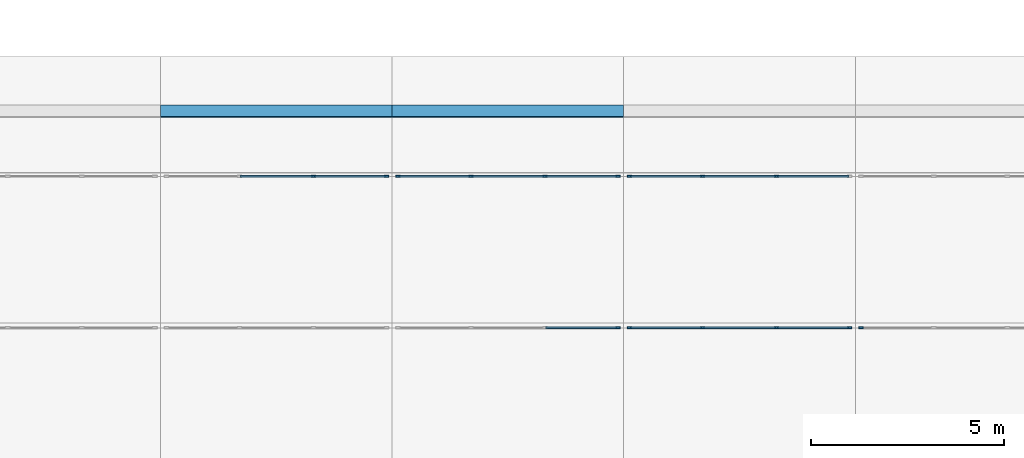
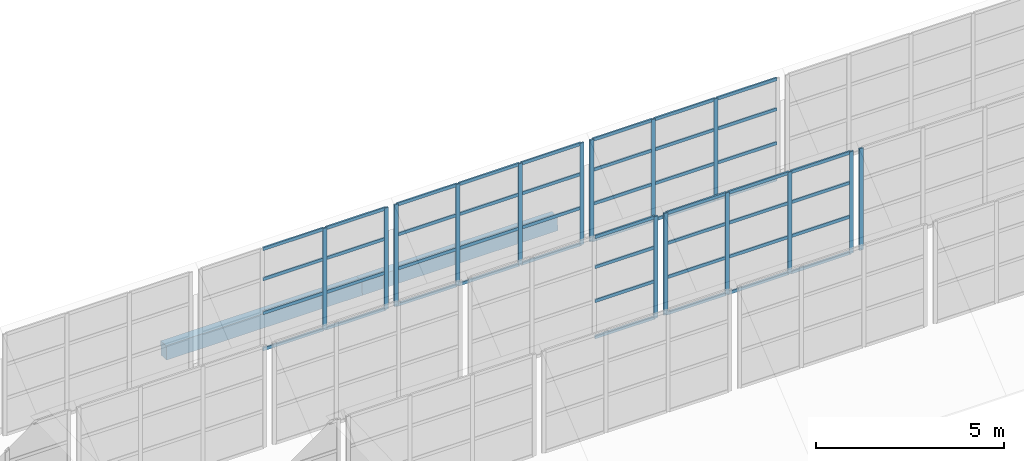
# One storey, part 32 of 122: 63 members, 2 beams, 6 elements without a shape of their own.
"""IFC4 building model written with IfcOpenShell, lengths in metres."""

from ifc_helpers import new_model, si_unit, direction, frame, origin, origin_2d, place, context, subcontext, project, spatial, rectangle, extrude, material, layer, layer_set, material_profile, profile_set, type_object, element, aggregate, save


model = new_model("IFC4")

# Units and contexts
model_context = context("Model", 3, precision=1e-05, world=origin(), true_north=direction((0.0, 1.0)))
body_context = subcontext(model_context, "Body", "Model", "MODEL_VIEW")
ifc_project = project(units=[si_unit("LENGTHUNIT", "METRE"), si_unit("AREAUNIT", "SQUARE_METRE"), si_unit("VOLUMEUNIT", "CUBIC_METRE"), si_unit("PLANEANGLEUNIT", "RADIAN"), si_unit("MASSUNIT", "GRAM", prefix="KILO")], contexts=[model_context])

# Site, building, storey
site_placement = place(None, origin())
site = spatial("IfcSite", under=ifc_project, at=site_placement, CompositionType="ELEMENT")
building_placement = place(site_placement, origin())
building = spatial("IfcBuilding", under=site, at=building_placement, Name="Ridgestep Commons", CompositionType="ELEMENT")
storey_placement = place(building_placement, frame((0.0, 0.0, 3.0)))
storey = spatial("IfcBuildingStorey", under=building, at=storey_placement, Name="L01", CompositionType="ELEMENT", Elevation=3.0)

# Beams
ifc_material_1 = material(Name="Precast concrete C40/50", Category="concrete")
ifc_material_profile_1 = material_profile(ifc_material_1, rectangle(XDim=0.300048828125, YDim=0.449951171875, at=origin_2d()), Name="Arcade beam 300 x 450")
ifc_profile_set_1 = profile_set([ifc_material_profile_1], Name="Precast concrete C40/50")
beam_type = type_object("IfcBeamType", Name="Arcade beam 300 x 450", PredefinedType="BEAM", material=ifc_profile_set_1)
for number, where, z_axis, x_axis, name in (
    (1, (205.800048828125, 47.58642578125, 0.87939453125), (1.0, 0.0, 0.0), (0.0, 0.998204845466, -0.05989229072), "Arcade beam"),
    (2, (211.800048828125, 47.58642578125, 0.87939453125), (1.0, 0.0, 0.0), (0.0, 0.998204845466, -0.05989229072), "Arcade beam"),
):
    element("IfcBeam", number, at=place(storey_placement, frame(where, z_axis=z_axis, x_axis=x_axis)), inside=storey, type_object=beam_type, Name=name, PredefinedType="BEAM", context=body_context, shape_type="SweptSolid", body=[
        extrude(rectangle(XDim=0.300048828125, YDim=0.449951171875, at=origin_2d()), origin(), (0.0, 0.0, 1.0), 6.0),
    ])

# Curtain wall, members
ifc_material_2 = material(Name="Aluminium and glass", Category="aluminium")
ifc_layer = layer(ifc_material_2, 0.14990234375)
ifc_layer_set = layer_set([ifc_layer], Name="Shop clerestory curtain wall")
curtain_wall_type = type_object("IfcCurtainWallType", Name="Shop clerestory curtain wall", PredefinedType="NOTDEFINED", material=ifc_layer_set)
curtain_wall_1_placement = place(storey_placement, origin())
curtain_wall_1 = element("IfcCurtainWall", 3, at=curtain_wall_1_placement, inside=storey, type_object=curtain_wall_type, Name="Shop clerestory curtain wall", PredefinedType="NOTDEFINED")
ifc_material_3 = material(Name="Aluminium", Category="aluminium")
ifc_material_profile_2 = material_profile(ifc_material_3, rectangle(XDim=0.050048828125, YDim=0.1201171875, at=origin_2d()), Name="Shop clerestory mullion 50 x 120")
ifc_profile_set_2 = profile_set([ifc_material_profile_2], Name="Aluminium")
member_type_1 = type_object("IfcMemberType", Name="Shop clerestory mullion 50 x 120", PredefinedType="MULLION", material=ifc_profile_set_2)
member_1_placement = place(storey_placement, frame((209.75830078125, 45.89990234375, 1.199951171875), z_axis=(0.0, 0.0, 1.0), x_axis=(0.0, 1.0, 0.0)))
member_1 = element("IfcMember", 4, at=member_1_placement, type_object=member_type_1, Name="CW5 mullion 3", PredefinedType="MULLION", context=body_context, shape_type="SweptSolid", body=[
    extrude(rectangle(XDim=0.050048828125, YDim=0.1201171875, at=origin_2d()), origin(), (0.0, 0.0, 1.0), 3.300048828125),
])
member_2_placement = place(storey_placement, frame((211.64990234375, 45.89990234375, 1.199951171875), z_axis=(0.0, 0.0, 1.0), x_axis=(0.0, 1.0, 0.0)))
member_2 = element("IfcMember", 5, at=member_2_placement, type_object=member_type_1, Name="CW5 mullion 4", PredefinedType="MULLION", context=body_context, shape_type="SweptSolid", body=[
    extrude(rectangle(XDim=0.050048828125, YDim=0.1201171875, at=origin_2d()), origin(), (0.0, 0.0, 1.0), 3.300048828125),
])

# Curtain wall, member
curtain_wall_2_placement = place(storey_placement, origin())
curtain_wall_2 = element("IfcCurtainWall", 6, at=curtain_wall_2_placement, inside=storey, type_object=curtain_wall_type, Name="Shop clerestory curtain wall", PredefinedType="NOTDEFINED")
member_3_placement = place(storey_placement, frame((217.64990234375, 41.97509765625, 1.199951171875), z_axis=(0.0, 0.0, 1.0), x_axis=(0.0, 1.0, 0.0)))
member_3 = element("IfcMember", 7, at=member_3_placement, type_object=member_type_1, Name="CW5 mullion 4", PredefinedType="MULLION", context=body_context, shape_type="SweptSolid", body=[
    extrude(rectangle(XDim=0.050048828125, YDim=0.1201171875, at=origin_2d()), origin(), (0.0, 0.0, 1.0), 3.300048828125),
])

# Curtain wall, members
curtain_wall_3_placement = place(storey_placement, origin())
curtain_wall_3 = element("IfcCurtainWall", 8, at=curtain_wall_3_placement, inside=storey, type_object=curtain_wall_type, Name="Shop clerestory curtain wall", PredefinedType="NOTDEFINED")
member_4_placement = place(storey_placement, frame((211.949951171875, 45.89990234375, 1.199951171875), z_axis=(0.0, 0.0, 1.0), x_axis=(0.0, 1.0, 0.0)))
member_4 = element("IfcMember", 9, at=member_4_placement, type_object=member_type_1, Name="CW5 mullion 1", PredefinedType="MULLION", context=body_context, shape_type="SweptSolid", body=[
    extrude(rectangle(XDim=0.050048828125, YDim=0.1201171875, at=origin_2d()), origin(), (0.0, 0.0, 1.0), 3.300048828125),
])
member_5_placement = place(storey_placement, frame((213.841552734375, 45.89990234375, 1.199951171875), z_axis=(0.0, 0.0, 1.0), x_axis=(0.0, 1.0, 0.0)))
member_5 = element("IfcMember", 10, at=member_5_placement, type_object=member_type_1, Name="CW5 mullion 2", PredefinedType="MULLION", context=body_context, shape_type="SweptSolid", body=[
    extrude(rectangle(XDim=0.050048828125, YDim=0.1201171875, at=origin_2d()), origin(), (0.0, 0.0, 1.0), 3.300048828125),
])
member_6_placement = place(storey_placement, frame((215.75830078125, 45.89990234375, 1.199951171875), z_axis=(0.0, 0.0, 1.0), x_axis=(0.0, 1.0, 0.0)))
member_6 = element("IfcMember", 11, at=member_6_placement, type_object=member_type_1, Name="CW5 mullion 3", PredefinedType="MULLION", context=body_context, shape_type="SweptSolid", body=[
    extrude(rectangle(XDim=0.050048828125, YDim=0.1201171875, at=origin_2d()), origin(), (0.0, 0.0, 1.0), 3.300048828125),
])
member_7_placement = place(storey_placement, frame((217.64990234375, 45.89990234375, 1.199951171875), z_axis=(0.0, 0.0, 1.0), x_axis=(0.0, 1.0, 0.0)))
member_7 = element("IfcMember", 12, at=member_7_placement, type_object=member_type_1, Name="CW5 mullion 4", PredefinedType="MULLION", context=body_context, shape_type="SweptSolid", body=[
    extrude(rectangle(XDim=0.050048828125, YDim=0.1201171875, at=origin_2d()), origin(), (0.0, 0.0, 1.0), 3.300048828125),
])

curtain_wall_4_placement = place(storey_placement, origin())
curtain_wall_4 = element("IfcCurtainWall", 13, at=curtain_wall_4_placement, inside=storey, type_object=curtain_wall_type, Name="Shop clerestory curtain wall", PredefinedType="NOTDEFINED")
member_8_placement = place(storey_placement, frame((217.949951171875, 41.97509765625, 1.199951171875), z_axis=(0.0, 0.0, 1.0), x_axis=(0.0, 1.0, 0.0)))
member_8 = element("IfcMember", 14, at=member_8_placement, type_object=member_type_1, Name="CW5 mullion 1", PredefinedType="MULLION", context=body_context, shape_type="SweptSolid", body=[
    extrude(rectangle(XDim=0.050048828125, YDim=0.1201171875, at=origin_2d()), origin(), (0.0, 0.0, 1.0), 3.300048828125),
])
member_9_placement = place(storey_placement, frame((219.841552734375, 41.97509765625, 1.199951171875), z_axis=(0.0, 0.0, 1.0), x_axis=(0.0, 1.0, 0.0)))
member_9 = element("IfcMember", 15, at=member_9_placement, type_object=member_type_1, Name="CW5 mullion 2", PredefinedType="MULLION", context=body_context, shape_type="SweptSolid", body=[
    extrude(rectangle(XDim=0.050048828125, YDim=0.1201171875, at=origin_2d()), origin(), (0.0, 0.0, 1.0), 3.300048828125),
])
member_10_placement = place(storey_placement, frame((221.75830078125, 41.97509765625, 1.199951171875), z_axis=(0.0, 0.0, 1.0), x_axis=(0.0, 1.0, 0.0)))
member_10 = element("IfcMember", 16, at=member_10_placement, type_object=member_type_1, Name="CW5 mullion 3", PredefinedType="MULLION", context=body_context, shape_type="SweptSolid", body=[
    extrude(rectangle(XDim=0.050048828125, YDim=0.1201171875, at=origin_2d()), origin(), (0.0, 0.0, 1.0), 3.300048828125),
])
member_11_placement = place(storey_placement, frame((223.64990234375, 41.97509765625, 1.199951171875), z_axis=(0.0, 0.0, 1.0), x_axis=(0.0, 1.0, 0.0)))
member_11 = element("IfcMember", 17, at=member_11_placement, type_object=member_type_1, Name="CW5 mullion 4", PredefinedType="MULLION", context=body_context, shape_type="SweptSolid", body=[
    extrude(rectangle(XDim=0.050048828125, YDim=0.1201171875, at=origin_2d()), origin(), (0.0, 0.0, 1.0), 3.300048828125),
])

curtain_wall_5_placement = place(storey_placement, origin())
curtain_wall_5 = element("IfcCurtainWall", 18, at=curtain_wall_5_placement, inside=storey, type_object=curtain_wall_type, Name="Shop clerestory curtain wall", PredefinedType="NOTDEFINED")
member_12_placement = place(storey_placement, frame((217.949951171875, 45.89990234375, 1.199951171875), z_axis=(0.0, 0.0, 1.0), x_axis=(0.0, 1.0, 0.0)))
member_12 = element("IfcMember", 19, at=member_12_placement, type_object=member_type_1, Name="CW5 mullion 1", PredefinedType="MULLION", context=body_context, shape_type="SweptSolid", body=[
    extrude(rectangle(XDim=0.050048828125, YDim=0.1201171875, at=origin_2d()), origin(), (0.0, 0.0, 1.0), 3.300048828125),
])
member_13_placement = place(storey_placement, frame((219.841552734375, 45.89990234375, 1.199951171875), z_axis=(0.0, 0.0, 1.0), x_axis=(0.0, 1.0, 0.0)))
member_13 = element("IfcMember", 20, at=member_13_placement, type_object=member_type_1, Name="CW5 mullion 2", PredefinedType="MULLION", context=body_context, shape_type="SweptSolid", body=[
    extrude(rectangle(XDim=0.050048828125, YDim=0.1201171875, at=origin_2d()), origin(), (0.0, 0.0, 1.0), 3.300048828125),
])
member_14_placement = place(storey_placement, frame((221.75830078125, 45.89990234375, 1.199951171875), z_axis=(0.0, 0.0, 1.0), x_axis=(0.0, 1.0, 0.0)))
member_14 = element("IfcMember", 21, at=member_14_placement, type_object=member_type_1, Name="CW5 mullion 3", PredefinedType="MULLION", context=body_context, shape_type="SweptSolid", body=[
    extrude(rectangle(XDim=0.050048828125, YDim=0.1201171875, at=origin_2d()), origin(), (0.0, 0.0, 1.0), 3.300048828125),
])

# Curtain wall, member
curtain_wall_6_placement = place(storey_placement, origin())
curtain_wall_6 = element("IfcCurtainWall", 22, at=curtain_wall_6_placement, inside=storey, type_object=curtain_wall_type, Name="Shop clerestory curtain wall", PredefinedType="NOTDEFINED")
member_15_placement = place(storey_placement, frame((223.949951171875, 41.97509765625, 1.199951171875), z_axis=(0.0, 0.0, 1.0), x_axis=(0.0, 1.0, 0.0)))
member_15 = element("IfcMember", 23, at=member_15_placement, type_object=member_type_1, Name="CW5 mullion 1", PredefinedType="MULLION", context=body_context, shape_type="SweptSolid", body=[
    extrude(rectangle(XDim=0.050048828125, YDim=0.1201171875, at=origin_2d()), origin(), (0.0, 0.0, 1.0), 3.300048828125),
])
aggregate(curtain_wall_6, [member_15])

# Member
ifc_material_4 = material(Name="Aluminium", Category="aluminium")
ifc_material_profile_3 = material_profile(ifc_material_4, rectangle(XDim=0.050048828125, YDim=0.10009765625, at=origin_2d()), Name="Shop clerestory transom 50 x 100")
ifc_profile_set_3 = profile_set([ifc_material_profile_3], Name="Aluminium")
member_type_2 = type_object("IfcMemberType", Name="Shop clerestory transom 50 x 100", PredefinedType="USERDEFINED", material=ifc_profile_set_3)
member_16_placement = place(storey_placement, frame((207.86669921875, 45.89990234375, 1.22509765625), z_axis=(1.0, 0.0, 0.0), x_axis=(0.0, 1.0, 0.0)))
member_16 = element("IfcMember", 24, at=member_16_placement, type_object=member_type_2, Name="CW5 transom 2.1", ObjectType="TRANSOM", PredefinedType="USERDEFINED", context=body_context, shape_type="SweptSolid", body=[
    extrude(rectangle(XDim=0.050048828125, YDim=0.10009765625, at=origin_2d()), origin(), (0.0, 0.0, 1.0), 1.86669921875),
])

member_17_placement = place(storey_placement, frame((207.86669921875, 45.89990234375, 2.39990234375), z_axis=(1.0, 0.0, 0.0), x_axis=(0.0, 1.0, 0.0)))
member_17 = element("IfcMember", 25, at=member_17_placement, type_object=member_type_2, Name="CW5 transom 2.2", ObjectType="TRANSOM", PredefinedType="USERDEFINED", context=body_context, shape_type="SweptSolid", body=[
    extrude(rectangle(XDim=0.050048828125, YDim=0.10009765625, at=origin_2d()), origin(), (0.0, 0.0, 1.0), 1.86669921875),
])

member_18_placement = place(storey_placement, frame((207.86669921875, 45.89990234375, 3.5), z_axis=(1.0, 0.0, 0.0), x_axis=(0.0, 1.0, 0.0)))
member_18 = element("IfcMember", 26, at=member_18_placement, type_object=member_type_2, Name="CW5 transom 2.3", ObjectType="TRANSOM", PredefinedType="USERDEFINED", context=body_context, shape_type="SweptSolid", body=[
    extrude(rectangle(XDim=0.050048828125, YDim=0.10009765625, at=origin_2d()), origin(), (0.0, 0.0, 1.0), 1.86669921875),
])

member_19_placement = place(storey_placement, frame((207.86669921875, 45.89990234375, 4.47509765625), z_axis=(1.0, 0.0, 0.0), x_axis=(0.0, 1.0, 0.0)))
member_19 = element("IfcMember", 27, at=member_19_placement, type_object=member_type_2, Name="CW5 transom 2.4", ObjectType="TRANSOM", PredefinedType="USERDEFINED", context=body_context, shape_type="SweptSolid", body=[
    extrude(rectangle(XDim=0.050048828125, YDim=0.10009765625, at=origin_2d()), origin(), (0.0, 0.0, 1.0), 1.86669921875),
])

member_20_placement = place(storey_placement, frame((209.783447265625, 45.89990234375, 1.22509765625), z_axis=(1.0, 0.0, 0.0), x_axis=(0.0, 1.0, 0.0)))
member_20 = element("IfcMember", 28, at=member_20_placement, type_object=member_type_2, Name="CW5 transom 3.1", ObjectType="TRANSOM", PredefinedType="USERDEFINED", context=body_context, shape_type="SweptSolid", body=[
    extrude(rectangle(XDim=0.050048828125, YDim=0.10009765625, at=origin_2d()), origin(), (0.0, 0.0, 1.0), 1.841552734375),
])

member_21_placement = place(storey_placement, frame((209.783447265625, 45.89990234375, 2.39990234375), z_axis=(1.0, 0.0, 0.0), x_axis=(0.0, 1.0, 0.0)))
member_21 = element("IfcMember", 29, at=member_21_placement, type_object=member_type_2, Name="CW5 transom 3.2", ObjectType="TRANSOM", PredefinedType="USERDEFINED", context=body_context, shape_type="SweptSolid", body=[
    extrude(rectangle(XDim=0.050048828125, YDim=0.10009765625, at=origin_2d()), origin(), (0.0, 0.0, 1.0), 1.841552734375),
])

member_22_placement = place(storey_placement, frame((209.783447265625, 45.89990234375, 3.5), z_axis=(1.0, 0.0, 0.0), x_axis=(0.0, 1.0, 0.0)))
member_22 = element("IfcMember", 30, at=member_22_placement, type_object=member_type_2, Name="CW5 transom 3.3", ObjectType="TRANSOM", PredefinedType="USERDEFINED", context=body_context, shape_type="SweptSolid", body=[
    extrude(rectangle(XDim=0.050048828125, YDim=0.10009765625, at=origin_2d()), origin(), (0.0, 0.0, 1.0), 1.841552734375),
])

member_23_placement = place(storey_placement, frame((209.783447265625, 45.89990234375, 4.47509765625), z_axis=(1.0, 0.0, 0.0), x_axis=(0.0, 1.0, 0.0)))
member_23 = element("IfcMember", 31, at=member_23_placement, type_object=member_type_2, Name="CW5 transom 3.4", ObjectType="TRANSOM", PredefinedType="USERDEFINED", context=body_context, shape_type="SweptSolid", body=[
    extrude(rectangle(XDim=0.050048828125, YDim=0.10009765625, at=origin_2d()), origin(), (0.0, 0.0, 1.0), 1.841552734375),
])

aggregate(curtain_wall_1, [member_1, member_2, member_16, member_17, member_18, member_19, member_20, member_21, member_22, member_23])

member_24_placement = place(storey_placement, frame((215.783447265625, 41.97509765625, 1.22509765625), z_axis=(1.0, 0.0, 0.0), x_axis=(0.0, 1.0, 0.0)))
member_24 = element("IfcMember", 32, at=member_24_placement, type_object=member_type_2, Name="CW5 transom 3.1", ObjectType="TRANSOM", PredefinedType="USERDEFINED", context=body_context, shape_type="SweptSolid", body=[
    extrude(rectangle(XDim=0.050048828125, YDim=0.10009765625, at=origin_2d()), origin(), (0.0, 0.0, 1.0), 1.841552734375),
])

member_25_placement = place(storey_placement, frame((215.783447265625, 41.97509765625, 2.39990234375), z_axis=(1.0, 0.0, 0.0), x_axis=(0.0, 1.0, 0.0)))
member_25 = element("IfcMember", 33, at=member_25_placement, type_object=member_type_2, Name="CW5 transom 3.2", ObjectType="TRANSOM", PredefinedType="USERDEFINED", context=body_context, shape_type="SweptSolid", body=[
    extrude(rectangle(XDim=0.050048828125, YDim=0.10009765625, at=origin_2d()), origin(), (0.0, 0.0, 1.0), 1.841552734375),
])

member_26_placement = place(storey_placement, frame((215.783447265625, 41.97509765625, 3.5), z_axis=(1.0, 0.0, 0.0), x_axis=(0.0, 1.0, 0.0)))
member_26 = element("IfcMember", 34, at=member_26_placement, type_object=member_type_2, Name="CW5 transom 3.3", ObjectType="TRANSOM", PredefinedType="USERDEFINED", context=body_context, shape_type="SweptSolid", body=[
    extrude(rectangle(XDim=0.050048828125, YDim=0.10009765625, at=origin_2d()), origin(), (0.0, 0.0, 1.0), 1.841552734375),
])

member_27_placement = place(storey_placement, frame((215.783447265625, 41.97509765625, 4.47509765625), z_axis=(1.0, 0.0, 0.0), x_axis=(0.0, 1.0, 0.0)))
member_27 = element("IfcMember", 35, at=member_27_placement, type_object=member_type_2, Name="CW5 transom 3.4", ObjectType="TRANSOM", PredefinedType="USERDEFINED", context=body_context, shape_type="SweptSolid", body=[
    extrude(rectangle(XDim=0.050048828125, YDim=0.10009765625, at=origin_2d()), origin(), (0.0, 0.0, 1.0), 1.841552734375),
])

aggregate(curtain_wall_2, [member_3, member_24, member_25, member_26, member_27])

member_28_placement = place(storey_placement, frame((211.97509765625, 45.89990234375, 1.22509765625), z_axis=(1.0, 0.0, 0.0), x_axis=(0.0, 1.0, 0.0)))
member_28 = element("IfcMember", 36, at=member_28_placement, type_object=member_type_2, Name="CW5 transom 1.1", ObjectType="TRANSOM", PredefinedType="USERDEFINED", context=body_context, shape_type="SweptSolid", body=[
    extrude(rectangle(XDim=0.050048828125, YDim=0.10009765625, at=origin_2d()), origin(), (0.0, 0.0, 1.0), 1.841552734375),
])

member_29_placement = place(storey_placement, frame((211.97509765625, 45.89990234375, 2.39990234375), z_axis=(1.0, 0.0, 0.0), x_axis=(0.0, 1.0, 0.0)))
member_29 = element("IfcMember", 37, at=member_29_placement, type_object=member_type_2, Name="CW5 transom 1.2", ObjectType="TRANSOM", PredefinedType="USERDEFINED", context=body_context, shape_type="SweptSolid", body=[
    extrude(rectangle(XDim=0.050048828125, YDim=0.10009765625, at=origin_2d()), origin(), (0.0, 0.0, 1.0), 1.841552734375),
])

member_30_placement = place(storey_placement, frame((211.97509765625, 45.89990234375, 3.5), z_axis=(1.0, 0.0, 0.0), x_axis=(0.0, 1.0, 0.0)))
member_30 = element("IfcMember", 38, at=member_30_placement, type_object=member_type_2, Name="CW5 transom 1.3", ObjectType="TRANSOM", PredefinedType="USERDEFINED", context=body_context, shape_type="SweptSolid", body=[
    extrude(rectangle(XDim=0.050048828125, YDim=0.10009765625, at=origin_2d()), origin(), (0.0, 0.0, 1.0), 1.841552734375),
])

member_31_placement = place(storey_placement, frame((211.97509765625, 45.89990234375, 4.47509765625), z_axis=(1.0, 0.0, 0.0), x_axis=(0.0, 1.0, 0.0)))
member_31 = element("IfcMember", 39, at=member_31_placement, type_object=member_type_2, Name="CW5 transom 1.4", ObjectType="TRANSOM", PredefinedType="USERDEFINED", context=body_context, shape_type="SweptSolid", body=[
    extrude(rectangle(XDim=0.050048828125, YDim=0.10009765625, at=origin_2d()), origin(), (0.0, 0.0, 1.0), 1.841552734375),
])

member_32_placement = place(storey_placement, frame((213.86669921875, 45.89990234375, 1.22509765625), z_axis=(1.0, 0.0, 0.0), x_axis=(0.0, 1.0, 0.0)))
member_32 = element("IfcMember", 40, at=member_32_placement, type_object=member_type_2, Name="CW5 transom 2.1", ObjectType="TRANSOM", PredefinedType="USERDEFINED", context=body_context, shape_type="SweptSolid", body=[
    extrude(rectangle(XDim=0.050048828125, YDim=0.10009765625, at=origin_2d()), origin(), (0.0, 0.0, 1.0), 1.86669921875),
])

member_33_placement = place(storey_placement, frame((213.86669921875, 45.89990234375, 2.39990234375), z_axis=(1.0, 0.0, 0.0), x_axis=(0.0, 1.0, 0.0)))
member_33 = element("IfcMember", 41, at=member_33_placement, type_object=member_type_2, Name="CW5 transom 2.2", ObjectType="TRANSOM", PredefinedType="USERDEFINED", context=body_context, shape_type="SweptSolid", body=[
    extrude(rectangle(XDim=0.050048828125, YDim=0.10009765625, at=origin_2d()), origin(), (0.0, 0.0, 1.0), 1.86669921875),
])

member_34_placement = place(storey_placement, frame((213.86669921875, 45.89990234375, 3.5), z_axis=(1.0, 0.0, 0.0), x_axis=(0.0, 1.0, 0.0)))
member_34 = element("IfcMember", 42, at=member_34_placement, type_object=member_type_2, Name="CW5 transom 2.3", ObjectType="TRANSOM", PredefinedType="USERDEFINED", context=body_context, shape_type="SweptSolid", body=[
    extrude(rectangle(XDim=0.050048828125, YDim=0.10009765625, at=origin_2d()), origin(), (0.0, 0.0, 1.0), 1.86669921875),
])

member_35_placement = place(storey_placement, frame((213.86669921875, 45.89990234375, 4.47509765625), z_axis=(1.0, 0.0, 0.0), x_axis=(0.0, 1.0, 0.0)))
member_35 = element("IfcMember", 43, at=member_35_placement, type_object=member_type_2, Name="CW5 transom 2.4", ObjectType="TRANSOM", PredefinedType="USERDEFINED", context=body_context, shape_type="SweptSolid", body=[
    extrude(rectangle(XDim=0.050048828125, YDim=0.10009765625, at=origin_2d()), origin(), (0.0, 0.0, 1.0), 1.86669921875),
])

member_36_placement = place(storey_placement, frame((215.783447265625, 45.89990234375, 1.22509765625), z_axis=(1.0, 0.0, 0.0), x_axis=(0.0, 1.0, 0.0)))
member_36 = element("IfcMember", 44, at=member_36_placement, type_object=member_type_2, Name="CW5 transom 3.1", ObjectType="TRANSOM", PredefinedType="USERDEFINED", context=body_context, shape_type="SweptSolid", body=[
    extrude(rectangle(XDim=0.050048828125, YDim=0.10009765625, at=origin_2d()), origin(), (0.0, 0.0, 1.0), 1.841552734375),
])

member_37_placement = place(storey_placement, frame((215.783447265625, 45.89990234375, 2.39990234375), z_axis=(1.0, 0.0, 0.0), x_axis=(0.0, 1.0, 0.0)))
member_37 = element("IfcMember", 45, at=member_37_placement, type_object=member_type_2, Name="CW5 transom 3.2", ObjectType="TRANSOM", PredefinedType="USERDEFINED", context=body_context, shape_type="SweptSolid", body=[
    extrude(rectangle(XDim=0.050048828125, YDim=0.10009765625, at=origin_2d()), origin(), (0.0, 0.0, 1.0), 1.841552734375),
])

member_38_placement = place(storey_placement, frame((215.783447265625, 45.89990234375, 3.5), z_axis=(1.0, 0.0, 0.0), x_axis=(0.0, 1.0, 0.0)))
member_38 = element("IfcMember", 46, at=member_38_placement, type_object=member_type_2, Name="CW5 transom 3.3", ObjectType="TRANSOM", PredefinedType="USERDEFINED", context=body_context, shape_type="SweptSolid", body=[
    extrude(rectangle(XDim=0.050048828125, YDim=0.10009765625, at=origin_2d()), origin(), (0.0, 0.0, 1.0), 1.841552734375),
])

member_39_placement = place(storey_placement, frame((215.783447265625, 45.89990234375, 4.47509765625), z_axis=(1.0, 0.0, 0.0), x_axis=(0.0, 1.0, 0.0)))
member_39 = element("IfcMember", 47, at=member_39_placement, type_object=member_type_2, Name="CW5 transom 3.4", ObjectType="TRANSOM", PredefinedType="USERDEFINED", context=body_context, shape_type="SweptSolid", body=[
    extrude(rectangle(XDim=0.050048828125, YDim=0.10009765625, at=origin_2d()), origin(), (0.0, 0.0, 1.0), 1.841552734375),
])

aggregate(curtain_wall_3, [member_4, member_5, member_6, member_7, member_28, member_29, member_30, member_31, member_32, member_33, member_34, member_35, member_36, member_37, member_38, member_39])

member_40_placement = place(storey_placement, frame((217.97509765625, 41.97509765625, 1.22509765625), z_axis=(1.0, 0.0, 0.0), x_axis=(0.0, 1.0, 0.0)))
member_40 = element("IfcMember", 48, at=member_40_placement, type_object=member_type_2, Name="CW5 transom 1.1", ObjectType="TRANSOM", PredefinedType="USERDEFINED", context=body_context, shape_type="SweptSolid", body=[
    extrude(rectangle(XDim=0.050048828125, YDim=0.10009765625, at=origin_2d()), origin(), (0.0, 0.0, 1.0), 1.841552734375),
])

member_41_placement = place(storey_placement, frame((217.97509765625, 41.97509765625, 2.39990234375), z_axis=(1.0, 0.0, 0.0), x_axis=(0.0, 1.0, 0.0)))
member_41 = element("IfcMember", 49, at=member_41_placement, type_object=member_type_2, Name="CW5 transom 1.2", ObjectType="TRANSOM", PredefinedType="USERDEFINED", context=body_context, shape_type="SweptSolid", body=[
    extrude(rectangle(XDim=0.050048828125, YDim=0.10009765625, at=origin_2d()), origin(), (0.0, 0.0, 1.0), 1.841552734375),
])

member_42_placement = place(storey_placement, frame((217.97509765625, 41.97509765625, 3.5), z_axis=(1.0, 0.0, 0.0), x_axis=(0.0, 1.0, 0.0)))
member_42 = element("IfcMember", 50, at=member_42_placement, type_object=member_type_2, Name="CW5 transom 1.3", ObjectType="TRANSOM", PredefinedType="USERDEFINED", context=body_context, shape_type="SweptSolid", body=[
    extrude(rectangle(XDim=0.050048828125, YDim=0.10009765625, at=origin_2d()), origin(), (0.0, 0.0, 1.0), 1.841552734375),
])

member_43_placement = place(storey_placement, frame((217.97509765625, 41.97509765625, 4.47509765625), z_axis=(1.0, 0.0, 0.0), x_axis=(0.0, 1.0, 0.0)))
member_43 = element("IfcMember", 51, at=member_43_placement, type_object=member_type_2, Name="CW5 transom 1.4", ObjectType="TRANSOM", PredefinedType="USERDEFINED", context=body_context, shape_type="SweptSolid", body=[
    extrude(rectangle(XDim=0.050048828125, YDim=0.10009765625, at=origin_2d()), origin(), (0.0, 0.0, 1.0), 1.841552734375),
])

member_44_placement = place(storey_placement, frame((219.86669921875, 41.97509765625, 1.22509765625), z_axis=(1.0, 0.0, 0.0), x_axis=(0.0, 1.0, 0.0)))
member_44 = element("IfcMember", 52, at=member_44_placement, type_object=member_type_2, Name="CW5 transom 2.1", ObjectType="TRANSOM", PredefinedType="USERDEFINED", context=body_context, shape_type="SweptSolid", body=[
    extrude(rectangle(XDim=0.050048828125, YDim=0.10009765625, at=origin_2d()), origin(), (0.0, 0.0, 1.0), 1.86669921875),
])

member_45_placement = place(storey_placement, frame((219.86669921875, 41.97509765625, 2.39990234375), z_axis=(1.0, 0.0, 0.0), x_axis=(0.0, 1.0, 0.0)))
member_45 = element("IfcMember", 53, at=member_45_placement, type_object=member_type_2, Name="CW5 transom 2.2", ObjectType="TRANSOM", PredefinedType="USERDEFINED", context=body_context, shape_type="SweptSolid", body=[
    extrude(rectangle(XDim=0.050048828125, YDim=0.10009765625, at=origin_2d()), origin(), (0.0, 0.0, 1.0), 1.86669921875),
])

member_46_placement = place(storey_placement, frame((219.86669921875, 41.97509765625, 3.5), z_axis=(1.0, 0.0, 0.0), x_axis=(0.0, 1.0, 0.0)))
member_46 = element("IfcMember", 54, at=member_46_placement, type_object=member_type_2, Name="CW5 transom 2.3", ObjectType="TRANSOM", PredefinedType="USERDEFINED", context=body_context, shape_type="SweptSolid", body=[
    extrude(rectangle(XDim=0.050048828125, YDim=0.10009765625, at=origin_2d()), origin(), (0.0, 0.0, 1.0), 1.86669921875),
])

member_47_placement = place(storey_placement, frame((219.86669921875, 41.97509765625, 4.47509765625), z_axis=(1.0, 0.0, 0.0), x_axis=(0.0, 1.0, 0.0)))
member_47 = element("IfcMember", 55, at=member_47_placement, type_object=member_type_2, Name="CW5 transom 2.4", ObjectType="TRANSOM", PredefinedType="USERDEFINED", context=body_context, shape_type="SweptSolid", body=[
    extrude(rectangle(XDim=0.050048828125, YDim=0.10009765625, at=origin_2d()), origin(), (0.0, 0.0, 1.0), 1.86669921875),
])

member_48_placement = place(storey_placement, frame((221.783447265625, 41.97509765625, 1.22509765625), z_axis=(1.0, 0.0, 0.0), x_axis=(0.0, 1.0, 0.0)))
member_48 = element("IfcMember", 56, at=member_48_placement, type_object=member_type_2, Name="CW5 transom 3.1", ObjectType="TRANSOM", PredefinedType="USERDEFINED", context=body_context, shape_type="SweptSolid", body=[
    extrude(rectangle(XDim=0.050048828125, YDim=0.10009765625, at=origin_2d()), origin(), (0.0, 0.0, 1.0), 1.841552734375),
])

member_49_placement = place(storey_placement, frame((221.783447265625, 41.97509765625, 2.39990234375), z_axis=(1.0, 0.0, 0.0), x_axis=(0.0, 1.0, 0.0)))
member_49 = element("IfcMember", 57, at=member_49_placement, type_object=member_type_2, Name="CW5 transom 3.2", ObjectType="TRANSOM", PredefinedType="USERDEFINED", context=body_context, shape_type="SweptSolid", body=[
    extrude(rectangle(XDim=0.050048828125, YDim=0.10009765625, at=origin_2d()), origin(), (0.0, 0.0, 1.0), 1.841552734375),
])

member_50_placement = place(storey_placement, frame((221.783447265625, 41.97509765625, 3.5), z_axis=(1.0, 0.0, 0.0), x_axis=(0.0, 1.0, 0.0)))
member_50 = element("IfcMember", 58, at=member_50_placement, type_object=member_type_2, Name="CW5 transom 3.3", ObjectType="TRANSOM", PredefinedType="USERDEFINED", context=body_context, shape_type="SweptSolid", body=[
    extrude(rectangle(XDim=0.050048828125, YDim=0.10009765625, at=origin_2d()), origin(), (0.0, 0.0, 1.0), 1.841552734375),
])

member_51_placement = place(storey_placement, frame((221.783447265625, 41.97509765625, 4.47509765625), z_axis=(1.0, 0.0, 0.0), x_axis=(0.0, 1.0, 0.0)))
member_51 = element("IfcMember", 59, at=member_51_placement, type_object=member_type_2, Name="CW5 transom 3.4", ObjectType="TRANSOM", PredefinedType="USERDEFINED", context=body_context, shape_type="SweptSolid", body=[
    extrude(rectangle(XDim=0.050048828125, YDim=0.10009765625, at=origin_2d()), origin(), (0.0, 0.0, 1.0), 1.841552734375),
])

aggregate(curtain_wall_4, [member_8, member_9, member_10, member_11, member_40, member_41, member_42, member_43, member_44, member_45, member_46, member_47, member_48, member_49, member_50, member_51])

member_52_placement = place(storey_placement, frame((217.97509765625, 45.89990234375, 1.22509765625), z_axis=(1.0, 0.0, 0.0), x_axis=(0.0, 1.0, 0.0)))
member_52 = element("IfcMember", 60, at=member_52_placement, type_object=member_type_2, Name="CW5 transom 1.1", ObjectType="TRANSOM", PredefinedType="USERDEFINED", context=body_context, shape_type="SweptSolid", body=[
    extrude(rectangle(XDim=0.050048828125, YDim=0.10009765625, at=origin_2d()), origin(), (0.0, 0.0, 1.0), 1.841552734375),
])

member_53_placement = place(storey_placement, frame((217.97509765625, 45.89990234375, 2.39990234375), z_axis=(1.0, 0.0, 0.0), x_axis=(0.0, 1.0, 0.0)))
member_53 = element("IfcMember", 61, at=member_53_placement, type_object=member_type_2, Name="CW5 transom 1.2", ObjectType="TRANSOM", PredefinedType="USERDEFINED", context=body_context, shape_type="SweptSolid", body=[
    extrude(rectangle(XDim=0.050048828125, YDim=0.10009765625, at=origin_2d()), origin(), (0.0, 0.0, 1.0), 1.841552734375),
])

member_54_placement = place(storey_placement, frame((217.97509765625, 45.89990234375, 3.5), z_axis=(1.0, 0.0, 0.0), x_axis=(0.0, 1.0, 0.0)))
member_54 = element("IfcMember", 62, at=member_54_placement, type_object=member_type_2, Name="CW5 transom 1.3", ObjectType="TRANSOM", PredefinedType="USERDEFINED", context=body_context, shape_type="SweptSolid", body=[
    extrude(rectangle(XDim=0.050048828125, YDim=0.10009765625, at=origin_2d()), origin(), (0.0, 0.0, 1.0), 1.841552734375),
])

member_55_placement = place(storey_placement, frame((217.97509765625, 45.89990234375, 4.47509765625), z_axis=(1.0, 0.0, 0.0), x_axis=(0.0, 1.0, 0.0)))
member_55 = element("IfcMember", 63, at=member_55_placement, type_object=member_type_2, Name="CW5 transom 1.4", ObjectType="TRANSOM", PredefinedType="USERDEFINED", context=body_context, shape_type="SweptSolid", body=[
    extrude(rectangle(XDim=0.050048828125, YDim=0.10009765625, at=origin_2d()), origin(), (0.0, 0.0, 1.0), 1.841552734375),
])

member_56_placement = place(storey_placement, frame((219.86669921875, 45.89990234375, 1.22509765625), z_axis=(1.0, 0.0, 0.0), x_axis=(0.0, 1.0, 0.0)))
member_56 = element("IfcMember", 64, at=member_56_placement, type_object=member_type_2, Name="CW5 transom 2.1", ObjectType="TRANSOM", PredefinedType="USERDEFINED", context=body_context, shape_type="SweptSolid", body=[
    extrude(rectangle(XDim=0.050048828125, YDim=0.10009765625, at=origin_2d()), origin(), (0.0, 0.0, 1.0), 1.86669921875),
])

member_57_placement = place(storey_placement, frame((219.86669921875, 45.89990234375, 2.39990234375), z_axis=(1.0, 0.0, 0.0), x_axis=(0.0, 1.0, 0.0)))
member_57 = element("IfcMember", 65, at=member_57_placement, type_object=member_type_2, Name="CW5 transom 2.2", ObjectType="TRANSOM", PredefinedType="USERDEFINED", context=body_context, shape_type="SweptSolid", body=[
    extrude(rectangle(XDim=0.050048828125, YDim=0.10009765625, at=origin_2d()), origin(), (0.0, 0.0, 1.0), 1.86669921875),
])

member_58_placement = place(storey_placement, frame((219.86669921875, 45.89990234375, 3.5), z_axis=(1.0, 0.0, 0.0), x_axis=(0.0, 1.0, 0.0)))
member_58 = element("IfcMember", 66, at=member_58_placement, type_object=member_type_2, Name="CW5 transom 2.3", ObjectType="TRANSOM", PredefinedType="USERDEFINED", context=body_context, shape_type="SweptSolid", body=[
    extrude(rectangle(XDim=0.050048828125, YDim=0.10009765625, at=origin_2d()), origin(), (0.0, 0.0, 1.0), 1.86669921875),
])

member_59_placement = place(storey_placement, frame((219.86669921875, 45.89990234375, 4.47509765625), z_axis=(1.0, 0.0, 0.0), x_axis=(0.0, 1.0, 0.0)))
member_59 = element("IfcMember", 67, at=member_59_placement, type_object=member_type_2, Name="CW5 transom 2.4", ObjectType="TRANSOM", PredefinedType="USERDEFINED", context=body_context, shape_type="SweptSolid", body=[
    extrude(rectangle(XDim=0.050048828125, YDim=0.10009765625, at=origin_2d()), origin(), (0.0, 0.0, 1.0), 1.86669921875),
])

member_60_placement = place(storey_placement, frame((221.783447265625, 45.89990234375, 1.22509765625), z_axis=(1.0, 0.0, 0.0), x_axis=(0.0, 1.0, 0.0)))
member_60 = element("IfcMember", 68, at=member_60_placement, type_object=member_type_2, Name="CW5 transom 3.1", ObjectType="TRANSOM", PredefinedType="USERDEFINED", context=body_context, shape_type="SweptSolid", body=[
    extrude(rectangle(XDim=0.050048828125, YDim=0.10009765625, at=origin_2d()), origin(), (0.0, 0.0, 1.0), 1.841552734375),
])

member_61_placement = place(storey_placement, frame((221.783447265625, 45.89990234375, 2.39990234375), z_axis=(1.0, 0.0, 0.0), x_axis=(0.0, 1.0, 0.0)))
member_61 = element("IfcMember", 69, at=member_61_placement, type_object=member_type_2, Name="CW5 transom 3.2", ObjectType="TRANSOM", PredefinedType="USERDEFINED", context=body_context, shape_type="SweptSolid", body=[
    extrude(rectangle(XDim=0.050048828125, YDim=0.10009765625, at=origin_2d()), origin(), (0.0, 0.0, 1.0), 1.841552734375),
])

member_62_placement = place(storey_placement, frame((221.783447265625, 45.89990234375, 3.5), z_axis=(1.0, 0.0, 0.0), x_axis=(0.0, 1.0, 0.0)))
member_62 = element("IfcMember", 70, at=member_62_placement, type_object=member_type_2, Name="CW5 transom 3.3", ObjectType="TRANSOM", PredefinedType="USERDEFINED", context=body_context, shape_type="SweptSolid", body=[
    extrude(rectangle(XDim=0.050048828125, YDim=0.10009765625, at=origin_2d()), origin(), (0.0, 0.0, 1.0), 1.841552734375),
])

member_63_placement = place(storey_placement, frame((221.783447265625, 45.89990234375, 4.47509765625), z_axis=(1.0, 0.0, 0.0), x_axis=(0.0, 1.0, 0.0)))
member_63 = element("IfcMember", 71, at=member_63_placement, type_object=member_type_2, Name="CW5 transom 3.4", ObjectType="TRANSOM", PredefinedType="USERDEFINED", context=body_context, shape_type="SweptSolid", body=[
    extrude(rectangle(XDim=0.050048828125, YDim=0.10009765625, at=origin_2d()), origin(), (0.0, 0.0, 1.0), 1.841552734375),
])

aggregate(curtain_wall_5, [member_12, member_13, member_14, member_52, member_53, member_54, member_55, member_56, member_57, member_58, member_59, member_60, member_61, member_62, member_63])

save(model, "model.ifc")
